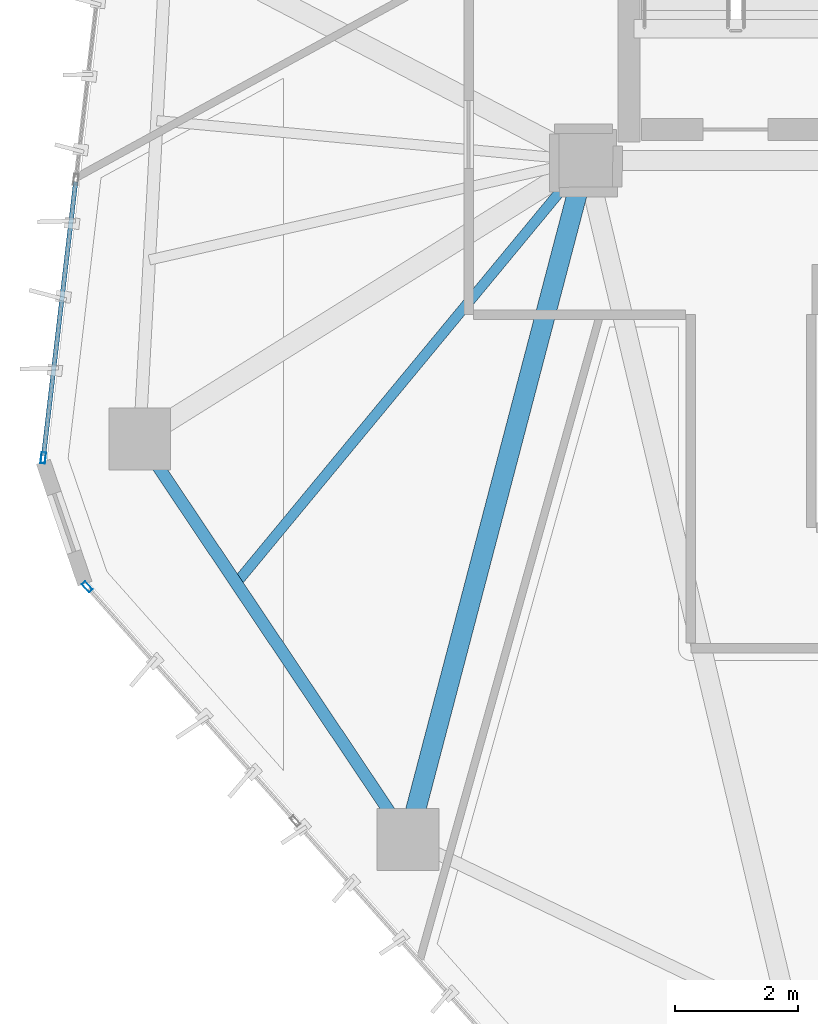
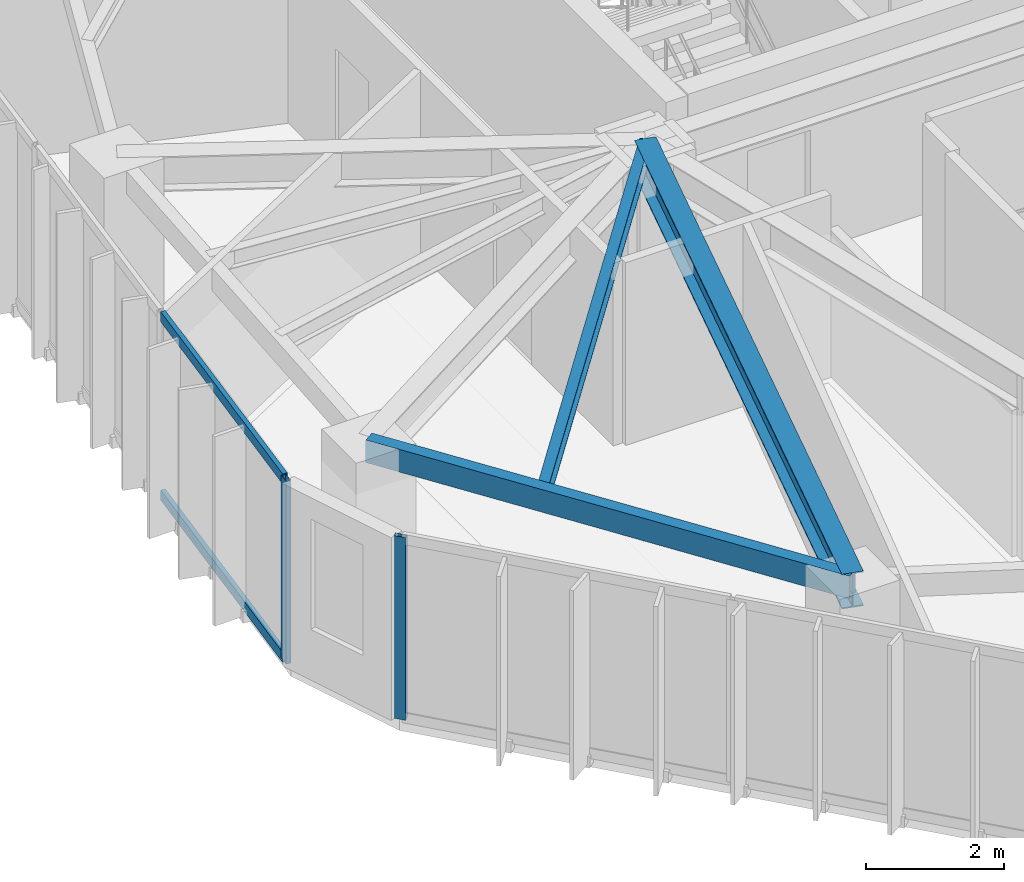
# One storey, part 4 of 22: 4 members, 3 beams, 2 elements without a shape of their own.
"""IFC4 building model written with IfcOpenShell, lengths in metres."""

from ifc_helpers import new_model, si_unit, direction, frame, origin, origin_2d, place, context, subcontext, project, spatial, hollow_rectangle, i_section, extrude, source, transform, mapped, material, layer, layer_set, material_profile, profile_set, type_object, type_shapes, element, aggregate, save


model = new_model("IFC4")

# Units and contexts
model_context = context("Model", 3, precision=1e-05, world=origin(), true_north=direction((0.0, 1.0)))
body_context = subcontext(model_context, "Body", "Model", "MODEL_VIEW")
ifc_project = project(units=[si_unit("LENGTHUNIT", "METRE"), si_unit("AREAUNIT", "SQUARE_METRE"), si_unit("VOLUMEUNIT", "CUBIC_METRE"), si_unit("PLANEANGLEUNIT", "RADIAN"), si_unit("MASSUNIT", "GRAM", prefix="KILO")], contexts=[model_context])

# Site, building, storey
site_placement = place(None, origin())
site = spatial("IfcSite", under=ifc_project, at=site_placement, CompositionType="ELEMENT")
building_placement = place(site_placement, origin())
building = spatial("IfcBuilding", under=site, at=building_placement, Name="Talar Marvaseh", CompositionType="ELEMENT")
storey_placement = place(building_placement, frame((0.0, 0.0, 229.199951171875)))
storey = spatial("IfcBuildingStorey", under=building, at=storey_placement, Name="L60", CompositionType="ELEMENT", Elevation=229.199951171875)

# Beams
ifc_material_1 = material(Name="Steel S355", Category="steel")
ifc_material_profile_1 = material_profile(ifc_material_1, hollow_rectangle(XDim=0.199951171875, YDim=0.39990234375, WallThickness=0.013916015625, at=origin_2d()), Name="RHS400x200x14")
ifc_profile_set_1 = profile_set([ifc_material_profile_1], Name="Steel S355")
beam_type_1 = type_object("IfcBeamType", Name="Zone 3 Perimeter Spandrel Beam RHS400x200x14", PredefinedType="SPANDREL", material=ifc_profile_set_1)
beam_1_placement = place(storey_placement, frame((15.819091796875, 14.5009765625, 3.030029296875), z_axis=(-0.556805579613, 0.830642851358, 0.0), x_axis=(-0.830642851358, -0.556805579613, 0.0)))
element("IfcBeam", 1, at=beam_1_placement, inside=storey, type_object=beam_type_1, Name="L60 Zone 3 Perimeter Spandrel Beam RHS400x200x14", PredefinedType="SPANDREL", context=body_context, shape_type="SweptSolid", body=[
    extrude(hollow_rectangle(XDim=0.199951171875, YDim=0.39990234375, WallThickness=0.013916015625, at=origin_2d()), origin(), (0.0, 0.0, 1.0), 7.807373046875),
])
ifc_material_profile_2 = material_profile(ifc_material_1, i_section(OverallWidth=0.324951171875, OverallDepth=0.615966796875, WebThickness=0.013916015625, FlangeThickness=0.021484375, at=origin_2d()), Name="W610x174")
ifc_profile_set_2 = profile_set([ifc_material_profile_2], Name="Steel S355")
beam_type_2 = type_object("IfcBeamType", Name="Zone 3 Radial Floor Girder W610x174", PredefinedType="BEAM", material=ifc_profile_set_2)
beam_2_placement = place(storey_placement, frame((15.819091796875, 14.5009765625, 2.922119140625), z_axis=(0.253372787776, 0.967368714821, 0.0), x_axis=(-0.967368714821, 0.253372787776, 0.0)))
element("IfcBeam", 2, at=beam_2_placement, inside=storey, type_object=beam_type_2, Name="L60 Zone 3 Radial Floor Girder W610x174", PredefinedType="BEAM", context=body_context, shape_type="SweptSolid", body=[
    extrude(i_section(OverallWidth=0.324951171875, OverallDepth=0.615966796875, WebThickness=0.013916015625, FlangeThickness=0.021484375, at=origin_2d()), origin(), (0.0, 0.0, 1.0), 11.3701171875),
])
ifc_material_profile_3 = material_profile(ifc_material_1, i_section(OverallWidth=0.166015625, OverallDepth=0.31298828125, WebThickness=0.006591796875, FlangeThickness=0.01123046875, at=origin_2d()), Name="W310x45")
ifc_profile_set_3 = profile_set([ifc_material_profile_3], Name="Steel S355")
beam_type_3 = type_object("IfcBeamType", Name="Zone 3 Secondary Floor Joist W310x45", PredefinedType="JOIST", material=ifc_profile_set_3)
beam_3_placement = place(storey_placement, frame((13.036865234375, 18.6513671875, 3.073486328125), z_axis=(0.637250554087, 0.770656688362, 0.0), x_axis=(-0.770656688362, 0.637250554087, 0.0)))
element("IfcBeam", 3, at=beam_3_placement, inside=storey, type_object=beam_type_3, Name="L60 Zone 3 Secondary Floor Joist W310x45", PredefinedType="JOIST", context=body_context, shape_type="SweptSolid", body=[
    extrude(i_section(OverallWidth=0.166015625, OverallDepth=0.31298828125, WebThickness=0.006591796875, FlangeThickness=0.01123046875, at=origin_2d()), origin(), (0.0, 0.0, 1.0), 8.88671875),
])

# Curtain wall, member
ifc_material_2 = material(Name="Architectural Aluminium", Category="aluminium")
ifc_layer = layer(ifc_material_2, 0.18994140625)
ifc_layer_set = layer_set([ifc_layer], Name="Architectural Aluminium")
curtain_wall_type = type_object("IfcCurtainWallType", Name="Unitised Solar Atelier Curtain Wall Z3", PredefinedType="NOTDEFINED", material=ifc_layer_set)
curtain_wall_1_placement = place(storey_placement, origin())
curtain_wall_1 = element("IfcCurtainWall", 4, at=curtain_wall_1_placement, inside=storey, type_object=curtain_wall_type, Name="L60 Unitised Solar Atelier Curtain Wall Z3", PredefinedType="NOTDEFINED")
ifc_material_profile_4 = material_profile(ifc_material_2, hollow_rectangle(XDim=0.074951171875, YDim=0.179931640625, WallThickness=0.0048828125, at=origin_2d()), Name="RHS180x75x5")
ifc_profile_set_4 = profile_set([ifc_material_profile_4], Name="Architectural Aluminium")
member_type_1 = type_object("IfcMemberType", Name="Unitised Curtain Wall Standard Mullion RHS180x75x5", PredefinedType="MULLION", material=ifc_profile_set_4)
shared_shape_1 = source(origin(), body_context, "Body", "SweptSolid", [
    extrude(hollow_rectangle(XDim=0.074951171875, YDim=0.179931640625, WallThickness=0.0048828125, at=origin_2d()), origin(), (0.0, 0.0, 1.0), 3.22998046875),
])
type_shapes(member_type_1, [shared_shape_1])
member_1_placement = place(storey_placement, frame((10.622802734375, 18.59423828125, 0.0), z_axis=(0.0, 0.0, 1.0), x_axis=(-0.747837549972, -0.663881765717, 0.0)))
member_1 = element("IfcMember", 5, at=member_1_placement, type_object=member_type_1, Name="CW-Z3 mullion 4", PredefinedType="MULLION", context=body_context, shape_type="MappedRepresentation", body=[
    mapped(shared_shape_1, transform((0.0, 0.0, 0.0), x_axis=(1.0, 0.0, 0.0), y_axis=(0.0, 1.0, 0.0), z_axis=(0.0, 0.0, 1.0), scale=1.0)),
])
aggregate(curtain_wall_1, [member_1])

# Curtain wall, members
curtain_wall_2_placement = place(storey_placement, origin())
curtain_wall_2 = element("IfcCurtainWall", 6, at=curtain_wall_2_placement, inside=storey, type_object=curtain_wall_type, Name="L60 Unitised Solar Atelier Curtain Wall Z3", PredefinedType="NOTDEFINED")
member_2_placement = place(storey_placement, frame((9.911865234375, 20.682861328125, 0.0), z_axis=(0.0, 0.0, 1.0), x_axis=(-0.993206413634, 0.116365888114, 0.0)))
member_2 = element("IfcMember", 7, at=member_2_placement, type_object=member_type_1, Name="CW-Z3 mullion 1", PredefinedType="MULLION", context=body_context, shape_type="MappedRepresentation", body=[
    mapped(shared_shape_1, transform((0.0, 0.0, 0.0), x_axis=(1.0, 0.0, 0.0), y_axis=(0.0, 1.0, 0.0), z_axis=(0.0, 0.0, 1.0), scale=1.0)),
])
ifc_material_profile_5 = material_profile(ifc_material_2, hollow_rectangle(XDim=0.074951171875, YDim=0.179931640625, WallThickness=0.0048828125, at=origin_2d()), Name="RHS180x75x5")
ifc_profile_set_5 = profile_set([ifc_material_profile_5], Name="Architectural Aluminium")
member_type_2 = type_object("IfcMemberType", Name="Unitised Curtain Wall Transom RHS180x75x5", PredefinedType="USERDEFINED", material=ifc_profile_set_5)
shared_shape_2 = source(origin(), body_context, "Body", "SweptSolid", [
    extrude(hollow_rectangle(XDim=0.074951171875, YDim=0.179931640625, WallThickness=0.0048828125, at=origin_2d()), origin(), (0.0, 0.0, 1.0), 4.464599609375),
])
type_shapes(member_type_2, [shared_shape_2])
member_3_placement = place(storey_placement, frame((9.916259765625, 20.719970703125, 0.03759765625), z_axis=(0.116365324491, 0.993206479669, 0.0), x_axis=(-0.993206479669, 0.116365324491, 0.0)))
member_3 = element("IfcMember", 8, at=member_3_placement, type_object=member_type_2, Name="CW-Z3 transom 1.1", ObjectType="TRANSOM", PredefinedType="USERDEFINED", context=body_context, shape_type="MappedRepresentation", body=[
    mapped(shared_shape_2, transform((0.0, 0.0, 0.0), x_axis=(1.0, 0.0, 0.0), y_axis=(0.0, 1.0, 0.0), z_axis=(0.0, 0.0, 1.0), scale=1.0)),
])
member_4_placement = place(storey_placement, frame((9.916259765625, 20.719970703125, 3.192626953125), z_axis=(0.116365324491, 0.993206479669, 0.0), x_axis=(-0.993206479669, 0.116365324491, 0.0)))
member_4 = element("IfcMember", 9, at=member_4_placement, type_object=member_type_2, Name="CW-Z3 transom 1.2", ObjectType="TRANSOM", PredefinedType="USERDEFINED", context=body_context, shape_type="MappedRepresentation", body=[
    mapped(shared_shape_2, transform((0.0, 0.0, 0.0), x_axis=(1.0, 0.0, 0.0), y_axis=(0.0, 1.0, 0.0), z_axis=(0.0, 0.0, 1.0), scale=1.0)),
])
aggregate(curtain_wall_2, [member_2, member_3, member_4])

save(model, "model.ifc")
